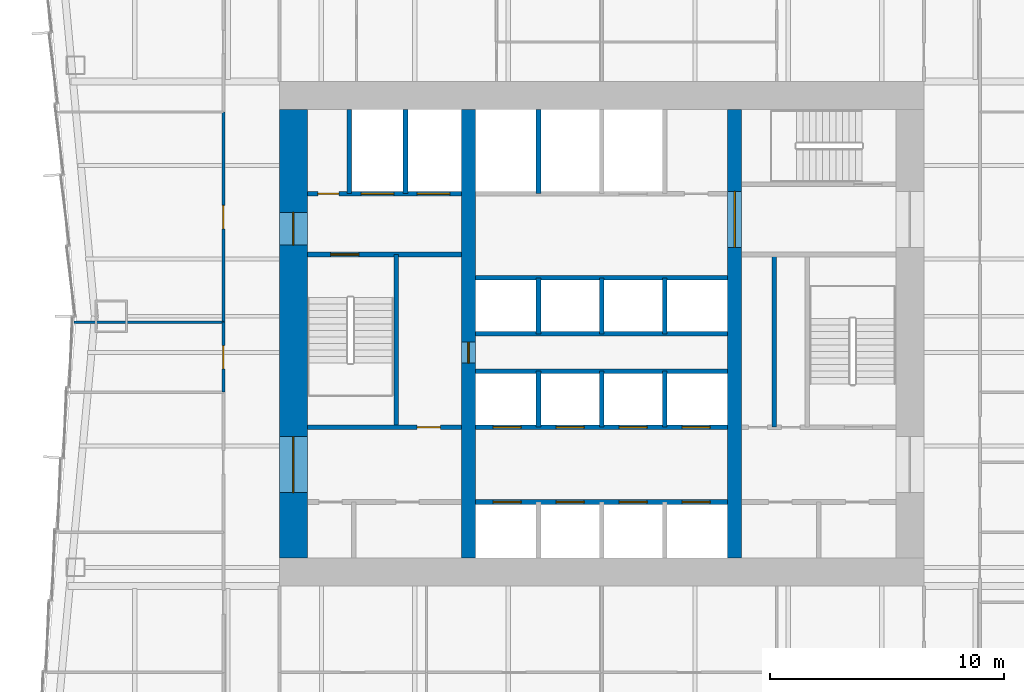
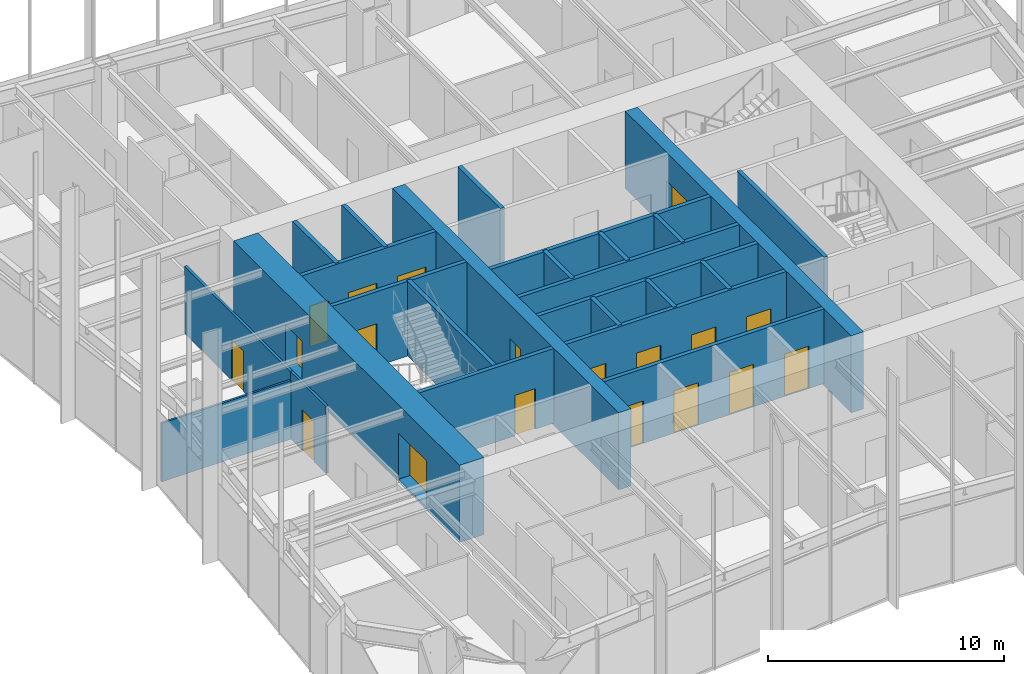
# One storey, part 9 of 13: 25 walls, 19 doors, 19 openings.
"""IFC4 building model written with IfcOpenShell, lengths in metres."""

from ifc_helpers import new_model, si_unit, direction, frame, frame_2d, origin, place, context, subcontext, project, spatial, rectangle, extrude, material, layer, layer_set, type_object, element, fill, save


model = new_model("IFC4")

# Units and contexts
model_context = context("Model", 3, precision=1e-05, world=origin(), true_north=direction((0.0, 1.0)))
body_context = subcontext(model_context, "Body", "Model", "MODEL_VIEW")
ifc_project = project(units=[si_unit("LENGTHUNIT", "METRE"), si_unit("AREAUNIT", "SQUARE_METRE"), si_unit("VOLUMEUNIT", "CUBIC_METRE"), si_unit("PLANEANGLEUNIT", "RADIAN"), si_unit("MASSUNIT", "GRAM", prefix="KILO")], contexts=[model_context])

# Site, building, storey
site_placement = place(None, origin())
site = spatial("IfcSite", under=ifc_project, at=site_placement, CompositionType="ELEMENT")
building_placement = place(site_placement, origin())
building = spatial("IfcBuilding", under=site, at=building_placement, Name="Verdant Reach Tower", CompositionType="ELEMENT")
storey_placement = place(building_placement, frame((0.0, 0.0, 70.0)))
storey = spatial("IfcBuildingStorey", under=building, at=storey_placement, Name="L15", CompositionType="ELEMENT", Elevation=70.0)

# Wall
ifc_material_1 = material(Name="Gypsum board on steel studs", Category="steel")
ifc_layer_1 = layer(ifc_material_1, 0.199951171875)
ifc_layer_set_1 = layer_set([ifc_layer_1], Name="CO-WALL-ROOM")
wall_type_1 = type_object("IfcWallType", Name="CO-WALL-ROOM", PredefinedType="PARTITIONING", material=ifc_layer_set_1)
wall_1_placement = place(storey_placement, frame((7.39990234375, 24.0, 0.0), z_axis=(0.0, 0.0, 1.0), x_axis=(0.0, 1.0, 0.0)))
element("IfcWall", 1, at=wall_1_placement, inside=storey, type_object=wall_type_1, Name="Core partition, L15", PredefinedType="PARTITIONING", context=body_context, shape_type="SweptSolid", body=[
    extrude(rectangle(XDim=7.39990234375, YDim=0.199951171875, at=frame_2d((3.699951171875, 0.0))), origin(), (0.0, 0.0, 1.0), 3.8701171875),
])

# Wall, openings, doors
ifc_material_2 = material(Name="Concrete C40/50", Category="concrete")
ifc_layer_2 = layer(ifc_material_2, 0.199951171875)
ifc_layer_set_2 = layer_set([ifc_layer_2], Name="CO-WALL-SHAFT")
wall_type_2 = type_object("IfcWallType", Name="CO-WALL-SHAFT", PredefinedType="PARTITIONING", material=ifc_layer_set_2)
wall_2_placement = place(storey_placement, frame((-5.39990234375, 20.800048828125, 0.0), z_axis=(0.0, 0.0, 1.0), x_axis=(1.0, 0.0, 0.0)))
wall_2 = element("IfcWall", 2, at=wall_2_placement, inside=storey, type_object=wall_type_2, Name="Lift shaft wall, L15", PredefinedType="PARTITIONING", context=body_context, shape_type="SweptSolid", body=[
    extrude(rectangle(XDim=10.7998046875, YDim=0.199951171875, at=frame_2d((5.39990234375, 0.0))), origin(), (0.0, 0.0, 1.0), 3.8701171875),
])
opening_1_placement = place(wall_2_placement, frame((0.75, 0.0, 0.0)))
opening_1 = element("IfcOpeningElement", 3, at=opening_1_placement, cuts=wall_2, Name="Opening LD-A1", PredefinedType="OPENING", context=body_context, shape_type="SweptSolid", body=[
    extrude(rectangle(XDim=1.199951171875, YDim=2.199951171875, at=frame_2d((0.60009765625, 1.10009765625))), frame((0.0, 0.10986328125, 0.0), z_axis=(0.0, -1.0, 0.0), x_axis=(1.0, 0.0, 0.0)), (0.0, 0.0, 1.0), 0.219970703125),
])
opening_2_placement = place(wall_2_placement, frame((3.449951171875, 0.0, 0.0)))
opening_2 = element("IfcOpeningElement", 4, at=opening_2_placement, cuts=wall_2, Name="Opening LD-A2", PredefinedType="OPENING", context=body_context, shape_type="SweptSolid", body=[
    extrude(rectangle(XDim=1.199951171875, YDim=2.199951171875, at=frame_2d((0.60009765625, 1.10009765625))), frame((0.0, 0.10986328125, 0.0), z_axis=(0.0, -1.0, 0.0), x_axis=(1.0, 0.0, 0.0)), (0.0, 0.0, 1.0), 0.219970703125),
])
opening_3_placement = place(wall_2_placement, frame((6.14990234375, 0.0, 0.0)))
opening_3 = element("IfcOpeningElement", 5, at=opening_3_placement, cuts=wall_2, Name="Opening LD-A3", PredefinedType="OPENING", context=body_context, shape_type="SweptSolid", body=[
    extrude(rectangle(XDim=1.199951171875, YDim=2.199951171875, at=frame_2d((0.60009765625, 1.10009765625))), frame((0.0, 0.10986328125, 0.0), z_axis=(0.0, -1.0, 0.0), x_axis=(1.0, 0.0, 0.0)), (0.0, 0.0, 1.0), 0.219970703125),
])
opening_4_placement = place(wall_2_placement, frame((8.85009765625, 0.0, 0.0)))
opening_4 = element("IfcOpeningElement", 6, at=opening_4_placement, cuts=wall_2, Name="Opening LD-A4", PredefinedType="OPENING", context=body_context, shape_type="SweptSolid", body=[
    extrude(rectangle(XDim=1.199951171875, YDim=2.199951171875, at=frame_2d((0.60009765625, 1.10009765625))), frame((0.0, 0.10986328125, 0.0), z_axis=(0.0, -1.0, 0.0), x_axis=(1.0, 0.0, 0.0)), (0.0, 0.0, 1.0), 0.219970703125),
])
ifc_material_3 = material(Name="Stainless steel", Category="steel")
door_type_1 = type_object("IfcDoorType", Name="CO-DOOR-LANDING", OperationType="SLIDING_TO_LEFT", PredefinedType="DOOR", material=ifc_material_3)
door_1_placement = place(opening_1_placement, origin())
door_1 = element("IfcDoor", 7, at=door_1_placement, inside=storey, type_object=door_type_1, Name="Landing door A1, L15", OperationType="SLIDING_TO_LEFT", OverallHeight=2.199951171875, OverallWidth=1.199951171875, PredefinedType="DOOR", context=body_context, shape_type="SweptSolid", body=[
    extrude(rectangle(XDim=1.199951171875, YDim=2.199951171875, at=frame_2d((0.60009765625, 1.10009765625))), frame((0.0, 0.02490234375, 0.0), z_axis=(0.0, -1.0, 0.0), x_axis=(1.0, 0.0, 0.0)), (0.0, 0.0, 1.0), 0.050048828125),
])
fill(opening_1, door_1)
door_2_placement = place(opening_2_placement, origin())
door_2 = element("IfcDoor", 8, at=door_2_placement, inside=storey, type_object=door_type_1, Name="Landing door A2, L15", OperationType="SLIDING_TO_LEFT", OverallHeight=2.199951171875, OverallWidth=1.199951171875, PredefinedType="DOOR", context=body_context, shape_type="SweptSolid", body=[
    extrude(rectangle(XDim=1.199951171875, YDim=2.199951171875, at=frame_2d((0.60009765625, 1.10009765625))), frame((0.0, 0.02490234375, 0.0), z_axis=(0.0, -1.0, 0.0), x_axis=(1.0, 0.0, 0.0)), (0.0, 0.0, 1.0), 0.050048828125),
])
fill(opening_2, door_2)
door_3_placement = place(opening_3_placement, origin())
door_3 = element("IfcDoor", 9, at=door_3_placement, inside=storey, type_object=door_type_1, Name="Landing door A3, L15", OperationType="SLIDING_TO_LEFT", OverallHeight=2.199951171875, OverallWidth=1.199951171875, PredefinedType="DOOR", context=body_context, shape_type="SweptSolid", body=[
    extrude(rectangle(XDim=1.199951171875, YDim=2.199951171875, at=frame_2d((0.60009765625, 1.10009765625))), frame((0.0, 0.02490234375, 0.0), z_axis=(0.0, -1.0, 0.0), x_axis=(1.0, 0.0, 0.0)), (0.0, 0.0, 1.0), 0.050048828125),
])
fill(opening_3, door_3)
door_4_placement = place(opening_4_placement, origin())
door_4 = element("IfcDoor", 10, at=door_4_placement, inside=storey, type_object=door_type_1, Name="Landing door A4, L15", OperationType="SLIDING_TO_LEFT", OverallHeight=2.199951171875, OverallWidth=1.199951171875, PredefinedType="DOOR", context=body_context, shape_type="SweptSolid", body=[
    extrude(rectangle(XDim=1.199951171875, YDim=2.199951171875, at=frame_2d((0.60009765625, 1.10009765625))), frame((0.0, 0.02490234375, 0.0), z_axis=(0.0, -1.0, 0.0), x_axis=(1.0, 0.0, 0.0)), (0.0, 0.0, 1.0), 0.050048828125),
])
fill(opening_4, door_4)

wall_3_placement = place(storey_placement, frame((-5.39990234375, 24.0, 0.0), z_axis=(0.0, 0.0, 1.0), x_axis=(1.0, 0.0, 0.0)))
wall_3 = element("IfcWall", 11, at=wall_3_placement, inside=storey, type_object=wall_type_2, Name="Lift shaft wall, L15", PredefinedType="PARTITIONING", context=body_context, shape_type="SweptSolid", body=[
    extrude(rectangle(XDim=10.7998046875, YDim=0.199951171875, at=frame_2d((5.39990234375, 0.0))), origin(), (0.0, 0.0, 1.0), 3.8701171875),
])
opening_5_placement = place(wall_3_placement, frame((0.75, 0.0, 0.0)))
opening_5 = element("IfcOpeningElement", 12, at=opening_5_placement, cuts=wall_3, Name="Opening LD-A5", PredefinedType="OPENING", context=body_context, shape_type="SweptSolid", body=[
    extrude(rectangle(XDim=1.199951171875, YDim=2.199951171875, at=frame_2d((0.60009765625, 1.10009765625))), frame((0.0, 0.10986328125, 0.0), z_axis=(0.0, -1.0, 0.0), x_axis=(1.0, 0.0, 0.0)), (0.0, 0.0, 1.0), 0.219970703125),
])
opening_6_placement = place(wall_3_placement, frame((3.449951171875, 0.0, 0.0)))
opening_6 = element("IfcOpeningElement", 13, at=opening_6_placement, cuts=wall_3, Name="Opening LD-A6", PredefinedType="OPENING", context=body_context, shape_type="SweptSolid", body=[
    extrude(rectangle(XDim=1.199951171875, YDim=2.199951171875, at=frame_2d((0.60009765625, 1.10009765625))), frame((0.0, 0.10986328125, 0.0), z_axis=(0.0, -1.0, 0.0), x_axis=(1.0, 0.0, 0.0)), (0.0, 0.0, 1.0), 0.219970703125),
])
opening_7_placement = place(wall_3_placement, frame((6.14990234375, 0.0, 0.0)))
opening_7 = element("IfcOpeningElement", 14, at=opening_7_placement, cuts=wall_3, Name="Opening LD-A7", PredefinedType="OPENING", context=body_context, shape_type="SweptSolid", body=[
    extrude(rectangle(XDim=1.199951171875, YDim=2.199951171875, at=frame_2d((0.60009765625, 1.10009765625))), frame((0.0, 0.10986328125, 0.0), z_axis=(0.0, -1.0, 0.0), x_axis=(1.0, 0.0, 0.0)), (0.0, 0.0, 1.0), 0.219970703125),
])
opening_8_placement = place(wall_3_placement, frame((8.85009765625, 0.0, 0.0)))
opening_8 = element("IfcOpeningElement", 15, at=opening_8_placement, cuts=wall_3, Name="Opening LD-A8", PredefinedType="OPENING", context=body_context, shape_type="SweptSolid", body=[
    extrude(rectangle(XDim=1.199951171875, YDim=2.199951171875, at=frame_2d((0.60009765625, 1.10009765625))), frame((0.0, 0.10986328125, 0.0), z_axis=(0.0, -1.0, 0.0), x_axis=(1.0, 0.0, 0.0)), (0.0, 0.0, 1.0), 0.219970703125),
])
door_5_placement = place(opening_5_placement, origin())
door_5 = element("IfcDoor", 16, at=door_5_placement, inside=storey, type_object=door_type_1, Name="Landing door A5, L15", OperationType="SLIDING_TO_LEFT", OverallHeight=2.199951171875, OverallWidth=1.199951171875, PredefinedType="DOOR", context=body_context, shape_type="SweptSolid", body=[
    extrude(rectangle(XDim=1.199951171875, YDim=2.199951171875, at=frame_2d((0.60009765625, 1.10009765625))), frame((0.0, 0.02490234375, 0.0), z_axis=(0.0, -1.0, 0.0), x_axis=(1.0, 0.0, 0.0)), (0.0, 0.0, 1.0), 0.050048828125),
])
fill(opening_5, door_5)
door_6_placement = place(opening_6_placement, origin())
door_6 = element("IfcDoor", 17, at=door_6_placement, inside=storey, type_object=door_type_1, Name="Landing door A6, L15", OperationType="SLIDING_TO_LEFT", OverallHeight=2.199951171875, OverallWidth=1.199951171875, PredefinedType="DOOR", context=body_context, shape_type="SweptSolid", body=[
    extrude(rectangle(XDim=1.199951171875, YDim=2.199951171875, at=frame_2d((0.60009765625, 1.10009765625))), frame((0.0, 0.02490234375, 0.0), z_axis=(0.0, -1.0, 0.0), x_axis=(1.0, 0.0, 0.0)), (0.0, 0.0, 1.0), 0.050048828125),
])
fill(opening_6, door_6)
door_7_placement = place(opening_7_placement, origin())
door_7 = element("IfcDoor", 18, at=door_7_placement, inside=storey, type_object=door_type_1, Name="Landing door A7, L15", OperationType="SLIDING_TO_LEFT", OverallHeight=2.199951171875, OverallWidth=1.199951171875, PredefinedType="DOOR", context=body_context, shape_type="SweptSolid", body=[
    extrude(rectangle(XDim=1.199951171875, YDim=2.199951171875, at=frame_2d((0.60009765625, 1.10009765625))), frame((0.0, 0.02490234375, 0.0), z_axis=(0.0, -1.0, 0.0), x_axis=(1.0, 0.0, 0.0)), (0.0, 0.0, 1.0), 0.050048828125),
])
fill(opening_7, door_7)
door_8_placement = place(opening_8_placement, origin())
door_8 = element("IfcDoor", 19, at=door_8_placement, inside=storey, type_object=door_type_1, Name="Landing door A8, L15", OperationType="SLIDING_TO_LEFT", OverallHeight=2.199951171875, OverallWidth=1.199951171875, PredefinedType="DOOR", context=body_context, shape_type="SweptSolid", body=[
    extrude(rectangle(XDim=1.199951171875, YDim=2.199951171875, at=frame_2d((0.60009765625, 1.10009765625))), frame((0.0, 0.02490234375, 0.0), z_axis=(0.0, -1.0, 0.0), x_axis=(1.0, 0.0, 0.0)), (0.0, 0.0, 1.0), 0.050048828125),
])
fill(opening_8, door_8)

# Walls
for number, where, z_axis, x_axis, name in (
    (20, (-5.39990234375, 26.39990234375, 0.0), (0.0, 0.0, 1.0), (1.0, 0.0, 0.0), "Lift shaft wall, L15"),
    (21, (-5.39990234375, 28.0, 0.0), (0.0, 0.0, 1.0), (1.0, 0.0, 0.0), "Lift shaft wall, L15"),
    (22, (-5.39990234375, 30.39990234375, 0.0), (0.0, 0.0, 1.0), (1.0, 0.0, 0.0), "Lift shaft wall, L15"),
):
    element("IfcWall", number, at=place(storey_placement, frame(where, z_axis=z_axis, x_axis=x_axis)), inside=storey, type_object=wall_type_2, Name=name, PredefinedType="PARTITIONING", context=body_context, shape_type="SweptSolid", body=[
        extrude(rectangle(XDim=10.7998046875, YDim=0.199951171875, at=frame_2d((5.39990234375, 0.0))), origin(), (0.0, 0.0, 1.0), 3.8701171875),
    ])

# Wall, openings, doors
wall_4_placement = place(storey_placement, frame((-12.60009765625, 34.0, 0.0), z_axis=(0.0, 0.0, 1.0), x_axis=(1.0, 0.0, 0.0)))
wall_4 = element("IfcWall", 23, at=wall_4_placement, inside=storey, type_object=wall_type_2, Name="Lift shaft wall, L15", PredefinedType="PARTITIONING", context=body_context, shape_type="SweptSolid", body=[
    extrude(rectangle(XDim=6.60009765625, YDim=0.199951171875, at=frame_2d((3.300048828125, 0.0))), origin(), (0.0, 0.0, 1.0), 3.8701171875),
])
opening_9_placement = place(wall_4_placement, frame((4.699951171875, 0.0, 0.0)))
opening_9 = element("IfcOpeningElement", 24, at=opening_9_placement, cuts=wall_4, Name="Opening LD-F1", PredefinedType="OPENING", context=body_context, shape_type="SweptSolid", body=[
    extrude(rectangle(XDim=1.39990234375, YDim=2.199951171875, at=frame_2d((0.699951171875, 1.10009765625))), frame((0.0, 0.10986328125, 0.0), z_axis=(0.0, -1.0, 0.0), x_axis=(1.0, 0.0, 0.0)), (0.0, 0.0, 1.0), 0.219970703125),
])
opening_10_placement = place(wall_4_placement, frame((2.300048828125, 0.0, 0.0)))
opening_10 = element("IfcOpeningElement", 25, at=opening_10_placement, cuts=wall_4, Name="Opening LD-F2", PredefinedType="OPENING", context=body_context, shape_type="SweptSolid", body=[
    extrude(rectangle(XDim=1.39990234375, YDim=2.199951171875, at=frame_2d((0.699951171875, 1.10009765625))), frame((0.0, 0.10986328125, 0.0), z_axis=(0.0, -1.0, 0.0), x_axis=(1.0, 0.0, 0.0)), (0.0, 0.0, 1.0), 0.219970703125),
])
opening_11_placement = place(wall_4_placement, frame((0.449951171875, 0.0, 0.0)))
opening_11 = element("IfcOpeningElement", 26, at=opening_11_placement, cuts=wall_4, Name="Opening RD", PredefinedType="OPENING", context=body_context, shape_type="SweptSolid", body=[
    extrude(rectangle(XDim=0.89990234375, YDim=2.10009765625, at=frame_2d((0.449951171875, 1.050048828125))), frame((0.0, 0.10986328125, 0.0), z_axis=(0.0, -1.0, 0.0), x_axis=(1.0, 0.0, 0.0)), (0.0, 0.0, 1.0), 0.219970703125),
])
door_type_2 = type_object("IfcDoorType", Name="CO-DOOR-LANDING-FF", OperationType="SLIDING_TO_LEFT", PredefinedType="DOOR", material=ifc_material_3)
door_9_placement = place(opening_9_placement, origin())
door_9 = element("IfcDoor", 27, at=door_9_placement, inside=storey, type_object=door_type_2, Name="Landing door F1, L15", OperationType="SLIDING_TO_LEFT", OverallHeight=2.199951171875, OverallWidth=1.39990234375, PredefinedType="DOOR", context=body_context, shape_type="SweptSolid", body=[
    extrude(rectangle(XDim=1.39990234375, YDim=2.199951171875, at=frame_2d((0.699951171875, 1.10009765625))), frame((0.0, 0.02490234375, 0.0), z_axis=(0.0, -1.0, 0.0), x_axis=(1.0, 0.0, 0.0)), (0.0, 0.0, 1.0), 0.050048828125),
])
fill(opening_9, door_9)
door_10_placement = place(opening_10_placement, origin())
door_10 = element("IfcDoor", 28, at=door_10_placement, inside=storey, type_object=door_type_2, Name="Landing door F2, L15", OperationType="SLIDING_TO_LEFT", OverallHeight=2.199951171875, OverallWidth=1.39990234375, PredefinedType="DOOR", context=body_context, shape_type="SweptSolid", body=[
    extrude(rectangle(XDim=1.39990234375, YDim=2.199951171875, at=frame_2d((0.699951171875, 1.10009765625))), frame((0.0, 0.02490234375, 0.0), z_axis=(0.0, -1.0, 0.0), x_axis=(1.0, 0.0, 0.0)), (0.0, 0.0, 1.0), 0.050048828125),
])
fill(opening_10, door_10)
ifc_material_4 = material(Name="Steel", Category="steel")
door_type_3 = type_object("IfcDoorType", Name="CO-DOOR-RISER", OperationType="NOTDEFINED", PredefinedType="DOOR", material=ifc_material_4)
door_11_placement = place(opening_11_placement, origin())
door_11 = element("IfcDoor", 29, at=door_11_placement, inside=storey, type_object=door_type_3, Name="Core room door, L15", OperationType="SINGLE_SWING_RIGHT", OverallHeight=2.10009765625, OverallWidth=0.89990234375, PredefinedType="DOOR", context=body_context, shape_type="SweptSolid", body=[
    extrude(rectangle(XDim=0.89990234375, YDim=2.10009765625, at=frame_2d((0.449951171875, 1.050048828125))), frame((0.0, 0.02490234375, 0.0), z_axis=(0.0, -1.0, 0.0), x_axis=(1.0, 0.0, 0.0)), (0.0, 0.0, 1.0), 0.050048828125),
])
fill(opening_11, door_11)

# Walls
for number, where, z_axis, x_axis, name in (
    (30, (-10.800048828125, 34.0, 0.0), (0.0, 0.0, 1.0), (0.0, 1.0, 0.0), "Lift shaft wall, L15"),
    (31, (-8.39990234375, 34.0, 0.0), (0.0, 0.0, 1.0), (0.0, 1.0, 0.0), "Lift shaft wall, L15"),
):
    element("IfcWall", number, at=place(storey_placement, frame(where, z_axis=z_axis, x_axis=x_axis)), inside=storey, type_object=wall_type_2, Name=name, PredefinedType="PARTITIONING", context=body_context, shape_type="SweptSolid", body=[
        extrude(rectangle(XDim=3.60009765625, YDim=0.199951171875, at=frame_2d((1.800048828125, 0.0))), origin(), (0.0, 0.0, 1.0), 3.8701171875),
    ])
for number, where, z_axis, x_axis, name in (
    (32, (-2.699951171875, 24.0, 0.0), (0.0, 0.0, 1.0), (0.0, 1.0, 0.0), "Lift shaft wall, L15"),
    (33, (-2.699951171875, 28.0, 0.0), (0.0, 0.0, 1.0), (0.0, 1.0, 0.0), "Lift shaft wall, L15"),
):
    element("IfcWall", number, at=place(storey_placement, frame(where, z_axis=z_axis, x_axis=x_axis)), inside=storey, type_object=wall_type_2, Name=name, PredefinedType="PARTITIONING", context=body_context, shape_type="SweptSolid", body=[
        extrude(rectangle(XDim=2.39990234375, YDim=0.199951171875, at=frame_2d((1.199951171875, 0.0))), origin(), (0.0, 0.0, 1.0), 3.8701171875),
    ])
wall_5_placement = place(storey_placement, frame((-2.699951171875, 34.0, 0.0), z_axis=(0.0, 0.0, 1.0), x_axis=(0.0, 1.0, 0.0)))
element("IfcWall", 34, at=wall_5_placement, inside=storey, type_object=wall_type_2, Name="Lift shaft wall, L15", PredefinedType="PARTITIONING", context=body_context, shape_type="SweptSolid", body=[
    extrude(rectangle(XDim=3.60009765625, YDim=0.199951171875, at=frame_2d((1.800048828125, 0.0))), origin(), (0.0, 0.0, 1.0), 3.8701171875),
])
for number, where, z_axis, x_axis, name in (
    (35, (0.0, 24.0, 0.0), (0.0, 0.0, 1.0), (0.0, 1.0, 0.0), "Lift shaft wall, L15"),
    (36, (0.0, 28.0, 0.0), (0.0, 0.0, 1.0), (0.0, 1.0, 0.0), "Lift shaft wall, L15"),
    (37, (2.699951171875, 24.0, 0.0), (0.0, 0.0, 1.0), (0.0, 1.0, 0.0), "Lift shaft wall, L15"),
    (38, (2.699951171875, 28.0, 0.0), (0.0, 0.0, 1.0), (0.0, 1.0, 0.0), "Lift shaft wall, L15"),
):
    element("IfcWall", number, at=place(storey_placement, frame(where, z_axis=z_axis, x_axis=x_axis)), inside=storey, type_object=wall_type_2, Name=name, PredefinedType="PARTITIONING", context=body_context, shape_type="SweptSolid", body=[
        extrude(rectangle(XDim=2.39990234375, YDim=0.199951171875, at=frame_2d((1.199951171875, 0.0))), origin(), (0.0, 0.0, 1.0), 3.8701171875),
    ])

# Wall, opening, door
ifc_layer_3 = layer(ifc_material_2, 0.199951171875)
ifc_layer_set_3 = layer_set([ifc_layer_3], Name="CO-WALL-STAIR")
wall_type_3 = type_object("IfcWallType", Name="CO-WALL-STAIR", PredefinedType="PARTITIONING", material=ifc_layer_set_3)
wall_6_placement = place(storey_placement, frame((-12.60009765625, 24.0, 0.0), z_axis=(0.0, 0.0, 1.0), x_axis=(1.0, 0.0, 0.0)))
wall_6 = element("IfcWall", 39, at=wall_6_placement, inside=storey, type_object=wall_type_3, Name="Stair enclosure wall, L15", PredefinedType="PARTITIONING", context=body_context, shape_type="SweptSolid", body=[
    extrude(rectangle(XDim=6.60009765625, YDim=0.199951171875, at=frame_2d((3.300048828125, 0.0))), origin(), (0.0, 0.0, 1.0), 3.8701171875),
])
opening_12_placement = place(wall_6_placement, frame((4.699951171875, 0.0, 0.0)))
opening_12 = element("IfcOpeningElement", 40, at=opening_12_placement, cuts=wall_6, Name="Opening CD", PredefinedType="OPENING", context=body_context, shape_type="SweptSolid", body=[
    extrude(rectangle(XDim=1.0, YDim=2.10009765625, at=frame_2d((0.5, 1.050048828125))), frame((0.0, 0.10986328125, 0.0), z_axis=(0.0, -1.0, 0.0), x_axis=(1.0, 0.0, 0.0)), (0.0, 0.0, 1.0), 0.219970703125),
])
ifc_material_5 = material(Name="Timber", Category="wood")
door_type_4 = type_object("IfcDoorType", Name="CO-DOOR-ROOM", OperationType="NOTDEFINED", PredefinedType="DOOR", material=ifc_material_5)
door_12_placement = place(opening_12_placement, origin())
door_12 = element("IfcDoor", 41, at=door_12_placement, inside=storey, type_object=door_type_4, Name="Core room door, L15", OperationType="SINGLE_SWING_RIGHT", OverallHeight=2.10009765625, OverallWidth=1.0, PredefinedType="DOOR", context=body_context, shape_type="SweptSolid", body=[
    extrude(rectangle(XDim=1.0, YDim=2.10009765625, at=frame_2d((0.5, 1.050048828125))), frame((0.0, 0.02490234375, 0.0), z_axis=(0.0, -1.0, 0.0), x_axis=(1.0, 0.0, 0.0)), (0.0, 0.0, 1.0), 0.050048828125),
])
fill(opening_12, door_12)

wall_7_placement = place(storey_placement, frame((-12.60009765625, 31.39990234375, 0.0), z_axis=(0.0, 0.0, 1.0), x_axis=(1.0, 0.0, 0.0)))
wall_7 = element("IfcWall", 42, at=wall_7_placement, inside=storey, type_object=wall_type_3, Name="Stair enclosure wall, L15", PredefinedType="PARTITIONING", context=body_context, shape_type="SweptSolid", body=[
    extrude(rectangle(XDim=6.60009765625, YDim=0.199951171875, at=frame_2d((3.300048828125, 0.0))), origin(), (0.0, 0.0, 1.0), 3.8701171875),
])
opening_13_placement = place(wall_7_placement, frame((1.0, 0.0, 0.0)))
opening_13 = element("IfcOpeningElement", 43, at=opening_13_placement, cuts=wall_7, Name="Opening SD", PredefinedType="OPENING", context=body_context, shape_type="SweptSolid", body=[
    extrude(rectangle(XDim=1.199951171875, YDim=2.199951171875, at=frame_2d((0.60009765625, 1.10009765625))), frame((0.0, 0.10986328125, 0.0), z_axis=(0.0, -1.0, 0.0), x_axis=(1.0, 0.0, 0.0)), (0.0, 0.0, 1.0), 0.219970703125),
])
door_type_5 = type_object("IfcDoorType", Name="CO-DOOR-STAIR", OperationType="NOTDEFINED", PredefinedType="DOOR", material=ifc_material_4)
door_13_placement = place(opening_13_placement, origin())
door_13 = element("IfcDoor", 44, at=door_13_placement, inside=storey, type_object=door_type_5, Name="Stair door, L15", OperationType="SINGLE_SWING_LEFT", OverallHeight=2.199951171875, OverallWidth=1.199951171875, PredefinedType="DOOR", context=body_context, shape_type="SweptSolid", body=[
    extrude(rectangle(XDim=1.199951171875, YDim=2.199951171875, at=frame_2d((0.60009765625, 1.10009765625))), frame((0.0, 0.02490234375, 0.0), z_axis=(0.0, -1.0, 0.0), x_axis=(1.0, 0.0, 0.0)), (0.0, 0.0, 1.0), 0.050048828125),
])
fill(opening_13, door_13)

# Walls
wall_8_placement = place(storey_placement, frame((-8.800048828125, 24.0, 0.0), z_axis=(0.0, 0.0, 1.0), x_axis=(0.0, 1.0, 0.0)))
element("IfcWall", 45, at=wall_8_placement, inside=storey, type_object=wall_type_3, Name="Stair enclosure wall, L15", PredefinedType="PARTITIONING", context=body_context, shape_type="SweptSolid", body=[
    extrude(rectangle(XDim=7.39990234375, YDim=0.199951171875, at=frame_2d((3.699951171875, 0.0))), origin(), (0.0, 0.0, 1.0), 3.8701171875),
])
ifc_layer_4 = layer(ifc_material_1, 0.10009765625)
ifc_layer_set_4 = layer_set([ifc_layer_4], Name="FL-W1 Partition 100")
wall_type_4 = type_object("IfcWallType", Name="FL-W1 Partition 100", PredefinedType="PARTITIONING", material=ifc_layer_set_4)
wall_9_placement = place(storey_placement, frame((-16.199951171875, 28.5, 0.0), z_axis=(0.0, 0.0, 1.0), x_axis=(-1.0, 0.0, 0.0)))
element("IfcWall", 46, at=wall_9_placement, inside=storey, type_object=wall_type_4, Name="Partition 15.32", PredefinedType="PARTITIONING", context=body_context, shape_type="SweptSolid", body=[
    extrude(rectangle(XDim=6.400634765625, YDim=0.10009765625, at=frame_2d((3.2001953125, 0.0))), origin(), (0.0, 0.0, 1.0), 3.0400390625),
])

# Wall, opening, door
ifc_material_6 = material(Name="Gypsum board on steel studs, fire rated", Category="steel")
ifc_layer_5 = layer(ifc_material_6, 0.125)
ifc_layer_set_5 = layer_set([ifc_layer_5], Name="FL-W2 Corridor wall 125")
wall_type_5 = type_object("IfcWallType", Name="FL-W2 Corridor wall 125", PredefinedType="PARTITIONING", material=ifc_layer_set_5)
wall_10_placement = place(storey_placement, frame((-16.199951171875, 25.5, 0.0), z_axis=(0.0, 0.0, 1.0), x_axis=(0.0, 1.0, 0.0)))
wall_10 = element("IfcWall", 47, at=wall_10_placement, inside=storey, type_object=wall_type_5, Name="Partition 15.04", PredefinedType="PARTITIONING", context=body_context, shape_type="SweptSolid", body=[
    extrude(rectangle(XDim=3.0, YDim=0.125, at=frame_2d((1.5, 0.0))), origin(), (0.0, 0.0, 1.0), 3.47998046875),
])
opening_14_placement = place(wall_10_placement, frame((1.0, 0.0, 0.0)))
opening_14 = element("IfcOpeningElement", 48, at=opening_14_placement, cuts=wall_10, Name="Opening D2", PredefinedType="OPENING", context=body_context, shape_type="SweptSolid", body=[
    extrude(rectangle(XDim=1.0, YDim=2.10009765625, at=frame_2d((0.5, 1.050048828125))), frame((0.0, 0.072509765625, 0.0), z_axis=(0.0, -1.0, 0.0), x_axis=(1.0, 0.0, 0.0)), (0.0, 0.0, 1.0), 0.14501953125),
])
ifc_material_7 = material(Name="Timber door leaf, fire rated", Category="wood")
door_type_6 = type_object("IfcDoorType", Name="FL-D2 Entrance door 1000x2100 FD30", OperationType="NOTDEFINED", PredefinedType="DOOR", material=ifc_material_7)
door_14_placement = place(opening_14_placement, origin())
door_14 = element("IfcDoor", 49, at=door_14_placement, inside=storey, type_object=door_type_6, Name="Door 15-004", OperationType="SINGLE_SWING_RIGHT", OverallHeight=2.10009765625, OverallWidth=1.0, PredefinedType="DOOR", context=body_context, shape_type="SweptSolid", body=[
    extrude(rectangle(XDim=1.0, YDim=2.10009765625, at=frame_2d((0.5, 1.050048828125))), frame((0.0, 0.02490234375, 0.0), z_axis=(0.0, -1.0, 0.0), x_axis=(1.0, 0.0, 0.0)), (0.0, 0.0, 1.0), 0.050048828125),
])
fill(opening_14, door_14)

wall_11_placement = place(storey_placement, frame((-16.199951171875, 28.5, 0.0), z_axis=(0.0, 0.0, 1.0), x_axis=(0.0, 1.0, 0.0)))
wall_11 = element("IfcWall", 50, at=wall_11_placement, inside=storey, type_object=wall_type_5, Name="Partition 15.05", PredefinedType="PARTITIONING", context=body_context, shape_type="SweptSolid", body=[
    extrude(rectangle(XDim=9.0, YDim=0.125, at=frame_2d((4.5, 0.0))), origin(), (0.0, 0.0, 1.0), 3.47998046875),
])
opening_15_placement = place(wall_11_placement, frame((4.0, 0.0, 0.0)))
opening_15 = element("IfcOpeningElement", 51, at=opening_15_placement, cuts=wall_11, Name="Opening D2", PredefinedType="OPENING", context=body_context, shape_type="SweptSolid", body=[
    extrude(rectangle(XDim=1.0, YDim=2.10009765625, at=frame_2d((0.5, 1.050048828125))), frame((0.0, 0.072509765625, 0.0), z_axis=(0.0, -1.0, 0.0), x_axis=(1.0, 0.0, 0.0)), (0.0, 0.0, 1.0), 0.14501953125),
])
door_15_placement = place(opening_15_placement, origin())
door_15 = element("IfcDoor", 52, at=door_15_placement, inside=storey, type_object=door_type_6, Name="Door 15-005", OperationType="SINGLE_SWING_LEFT", OverallHeight=2.10009765625, OverallWidth=1.0, PredefinedType="DOOR", context=body_context, shape_type="SweptSolid", body=[
    extrude(rectangle(XDim=1.0, YDim=2.10009765625, at=frame_2d((0.5, 1.050048828125))), frame((0.0, 0.02490234375, 0.0), z_axis=(0.0, -1.0, 0.0), x_axis=(1.0, 0.0, 0.0)), (0.0, 0.0, 1.0), 0.050048828125),
])
fill(opening_15, door_15)

# Wall, openings, doors
ifc_material_8 = material(Name="Concrete C70/85", Category="concrete")
ifc_layer_6 = layer(ifc_material_8, 1.199951171875)
ifc_layer_set_6 = layer_set([ifc_layer_6], Name="ST-CORE-WALL-1200")
wall_type_6 = type_object("IfcWallType", Name="ST-CORE-WALL-1200", PredefinedType="SHEAR", material=ifc_layer_set_6)
wall_12_placement = place(storey_placement, frame((-13.199951171875, 18.39990234375, -0.1298828125), z_axis=(0.0, 0.0, 1.0), x_axis=(0.0, 1.0, 0.0)))
wall_12 = element("IfcWall", 53, at=wall_12_placement, inside=storey, type_object=wall_type_6, Name="Core wall W, L15", PredefinedType="SHEAR", context=body_context, shape_type="SweptSolid", body=[
    extrude(rectangle(XDim=19.2001953125, YDim=1.199951171875, at=frame_2d((9.60009765625, 0.0))), origin(), (0.0, 0.0, 1.0), 4.0),
])
opening_16_placement = place(wall_12_placement, frame((2.800048828125, 0.0, 0.1298828125)))
opening_16 = element("IfcOpeningElement", 54, at=opening_16_placement, cuts=wall_12, Name="Opening LB", PredefinedType="OPENING", context=body_context, shape_type="SweptSolid", body=[
    extrude(rectangle(XDim=2.39990234375, YDim=2.39990234375, at=frame_2d((1.199951171875, 1.199951171875))), frame((0.0, 0.60986328125, 0.0), z_axis=(0.0, -1.0, 0.0), x_axis=(1.0, 0.0, 0.0)), (0.0, 0.0, 1.0), 1.219970703125),
])
opening_17_placement = place(wall_12_placement, frame((13.39990234375, 0.0, 0.1298828125)))
opening_17 = element("IfcOpeningElement", 55, at=opening_17_placement, cuts=wall_12, Name="Opening FL", PredefinedType="OPENING", context=body_context, shape_type="SweptSolid", body=[
    extrude(rectangle(XDim=1.39990234375, YDim=2.199951171875, at=frame_2d((0.699951171875, 1.10009765625))), frame((0.0, 0.60986328125, 0.0), z_axis=(0.0, -1.0, 0.0), x_axis=(1.0, 0.0, 0.0)), (0.0, 0.0, 1.0), 1.219970703125),
])
door_type_7 = type_object("IfcDoorType", Name="CO-DOOR-FFL", OperationType="NOTDEFINED", PredefinedType="DOOR", material=ifc_material_4)
door_16_placement = place(opening_17_placement, origin())
door_16 = element("IfcDoor", 56, at=door_16_placement, inside=storey, type_object=door_type_7, Name="Core entrance door, L15", OperationType="SINGLE_SWING_LEFT", OverallHeight=2.199951171875, OverallWidth=1.39990234375, PredefinedType="DOOR", context=body_context, shape_type="SweptSolid", body=[
    extrude(rectangle(XDim=1.39990234375, YDim=2.199951171875, at=frame_2d((0.699951171875, 1.10009765625))), frame((0.0, 0.02490234375, 0.0), z_axis=(0.0, -1.0, 0.0), x_axis=(1.0, 0.0, 0.0)), (0.0, 0.0, 1.0), 0.050048828125),
])
fill(opening_17, door_16)
ifc_material_9 = material(Name="Glass and steel", Category="steel")
door_type_8 = type_object("IfcDoorType", Name="CO-DOOR-LOBBY", OperationType="DOUBLE_DOOR_SINGLE_SWING", PredefinedType="DOOR", material=ifc_material_9)
door_17_placement = place(opening_16_placement, origin())
door_17 = element("IfcDoor", 57, at=door_17_placement, inside=storey, type_object=door_type_8, Name="Core entrance door, L15", OperationType="DOUBLE_DOOR_SINGLE_SWING", OverallHeight=2.39990234375, OverallWidth=2.39990234375, PredefinedType="DOOR", context=body_context, shape_type="SweptSolid", body=[
    extrude(rectangle(XDim=2.39990234375, YDim=2.39990234375, at=frame_2d((1.199951171875, 1.199951171875))), frame((0.0, 0.02490234375, 0.0), z_axis=(0.0, -1.0, 0.0), x_axis=(1.0, 0.0, 0.0)), (0.0, 0.0, 1.0), 0.050048828125),
])
fill(opening_16, door_17)

# Wall, opening, door
ifc_layer_7 = layer(ifc_material_8, 0.60009765625)
ifc_layer_set_7 = layer_set([ifc_layer_7], Name="ST-CORE-WALL-600")
wall_type_7 = type_object("IfcWallType", Name="ST-CORE-WALL-600", PredefinedType="SHEAR", material=ifc_layer_set_7)
wall_13_placement = place(storey_placement, frame((-5.699951171875, 18.39990234375, -0.1298828125), z_axis=(0.0, 0.0, 1.0), x_axis=(0.0, 1.0, 0.0)))
wall_13 = element("IfcWall", 58, at=wall_13_placement, inside=storey, type_object=wall_type_7, Name="Core wall XW, L15", PredefinedType="SHEAR", context=body_context, shape_type="SweptSolid", body=[
    extrude(rectangle(XDim=19.2001953125, YDim=0.60009765625, at=frame_2d((9.60009765625, 0.0))), origin(), (0.0, 0.0, 1.0), 4.0),
])
opening_18_placement = place(wall_13_placement, frame((8.35009765625, 0.0, 0.1298828125)))
opening_18 = element("IfcOpeningElement", 59, at=opening_18_placement, cuts=wall_13, Name="Opening RD", PredefinedType="OPENING", context=body_context, shape_type="SweptSolid", body=[
    extrude(rectangle(XDim=0.89990234375, YDim=2.10009765625, at=frame_2d((0.449951171875, 1.050048828125))), frame((0.0, 0.31005859375, 0.0), z_axis=(0.0, -1.0, 0.0), x_axis=(1.0, 0.0, 0.0)), (0.0, 0.0, 1.0), 0.6201171875),
])
door_18_placement = place(opening_18_placement, origin())
door_18 = element("IfcDoor", 60, at=door_18_placement, inside=storey, type_object=door_type_3, Name="Riser door, L15", OperationType="SINGLE_SWING_LEFT", OverallHeight=2.10009765625, OverallWidth=0.89990234375, PredefinedType="DOOR", context=body_context, shape_type="SweptSolid", body=[
    extrude(rectangle(XDim=0.89990234375, YDim=2.10009765625, at=frame_2d((0.449951171875, 1.050048828125))), frame((0.0, 0.02490234375, 0.0), z_axis=(0.0, -1.0, 0.0), x_axis=(1.0, 0.0, 0.0)), (0.0, 0.0, 1.0), 0.050048828125),
])
fill(opening_18, door_18)

wall_14_placement = place(storey_placement, frame((5.699951171875, 18.39990234375, -0.1298828125), z_axis=(0.0, 0.0, 1.0), x_axis=(0.0, 1.0, 0.0)))
wall_14 = element("IfcWall", 61, at=wall_14_placement, inside=storey, type_object=wall_type_7, Name="Core wall XE, L15", PredefinedType="SHEAR", context=body_context, shape_type="SweptSolid", body=[
    extrude(rectangle(XDim=19.2001953125, YDim=0.60009765625, at=frame_2d((9.60009765625, 0.0))), origin(), (0.0, 0.0, 1.0), 4.0),
])
opening_19_placement = place(wall_14_placement, frame((13.300048828125, 0.0, 0.1298828125)))
opening_19 = element("IfcOpeningElement", 62, at=opening_19_placement, cuts=wall_14, Name="Opening LB", PredefinedType="OPENING", context=body_context, shape_type="SweptSolid", body=[
    extrude(rectangle(XDim=2.39990234375, YDim=2.39990234375, at=frame_2d((1.199951171875, 1.199951171875))), frame((0.0, 0.31005859375, 0.0), z_axis=(0.0, -1.0, 0.0), x_axis=(1.0, 0.0, 0.0)), (0.0, 0.0, 1.0), 0.6201171875),
])
door_19_placement = place(opening_19_placement, origin())
door_19 = element("IfcDoor", 63, at=door_19_placement, inside=storey, type_object=door_type_8, Name="Core entrance door, L15", OperationType="DOUBLE_DOOR_SINGLE_SWING", OverallHeight=2.39990234375, OverallWidth=2.39990234375, PredefinedType="DOOR", context=body_context, shape_type="SweptSolid", body=[
    extrude(rectangle(XDim=2.39990234375, YDim=2.39990234375, at=frame_2d((1.199951171875, 1.199951171875))), frame((0.0, 0.02490234375, 0.0), z_axis=(0.0, -1.0, 0.0), x_axis=(1.0, 0.0, 0.0)), (0.0, 0.0, 1.0), 0.050048828125),
])
fill(opening_19, door_19)

save(model, "model.ifc")
